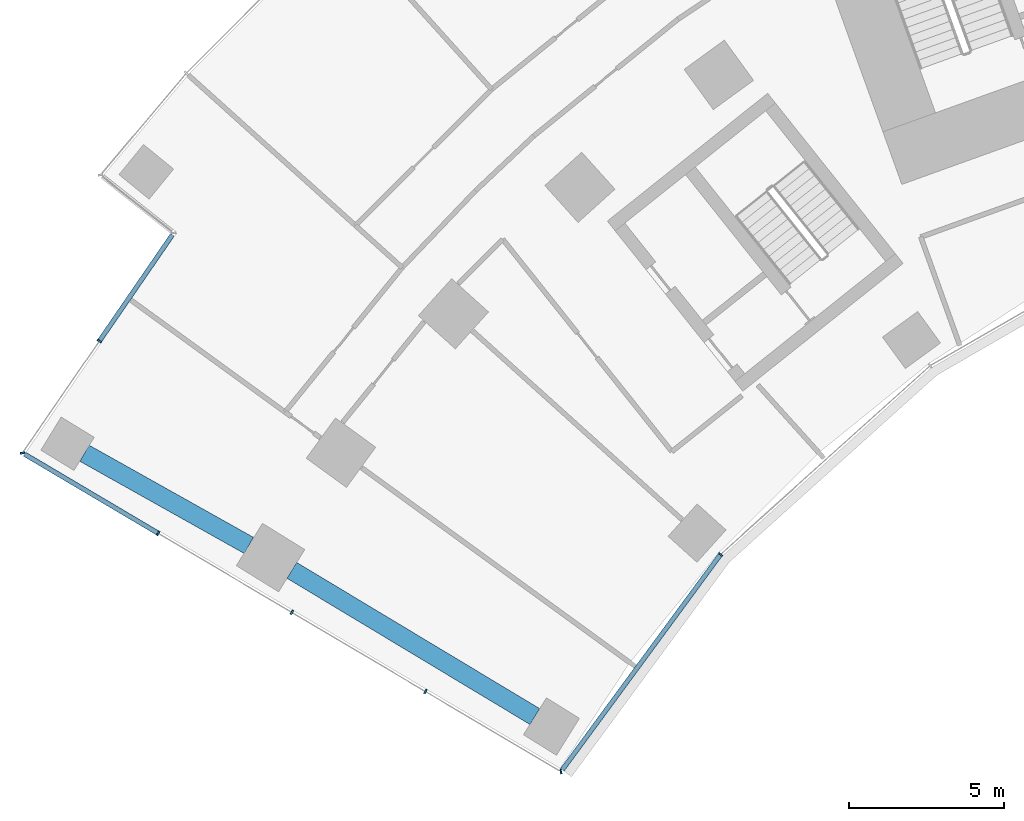
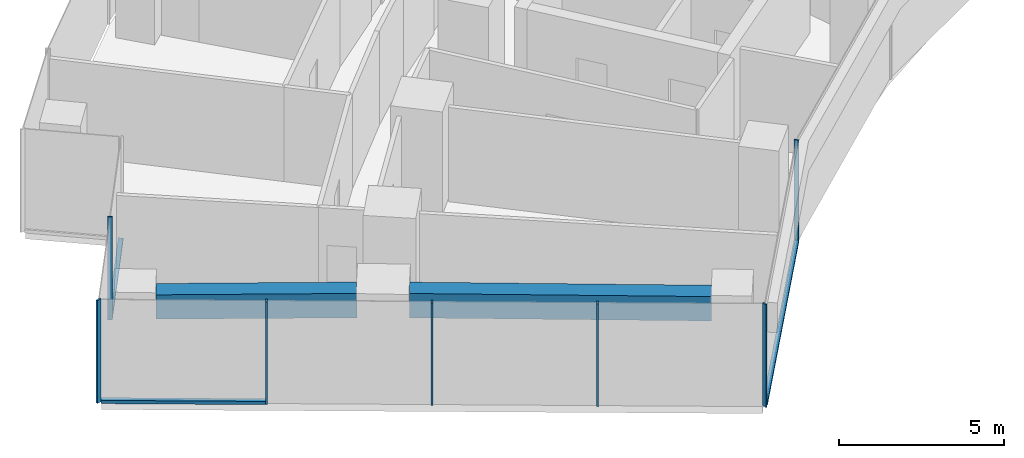
# One storey, part 2 of 21: 10 members, 2 beams, 3 elements without a shape of their own.
"""IFC4 building model written with IfcOpenShell, lengths in metres."""

from ifc_helpers import new_model, si_unit, direction, frame, origin, origin_2d, place, context, subcontext, project, spatial, rectangle, extrude, material, layer, layer_set, material_profile, profile_set, type_object, element, aggregate, save


model = new_model("IFC4")

# Units and contexts
model_context = context("Model", 3, precision=1e-05, world=origin(), true_north=direction((0.0, 1.0)))
body_context = subcontext(model_context, "Body", "Model", "MODEL_VIEW")
ifc_project = project(units=[si_unit("LENGTHUNIT", "METRE"), si_unit("AREAUNIT", "SQUARE_METRE"), si_unit("VOLUMEUNIT", "CUBIC_METRE"), si_unit("PLANEANGLEUNIT", "RADIAN"), si_unit("MASSUNIT", "GRAM", prefix="KILO")], contexts=[model_context])

# Site, building, storey
site_placement = place(None, origin())
site = spatial("IfcSite", under=ifc_project, at=site_placement, CompositionType="ELEMENT")
building_placement = place(site_placement, origin())
building = spatial("IfcBuilding", under=site, at=building_placement, Name="Stone Belt Terrace Tower", CompositionType="ELEMENT")
storey_placement = place(building_placement, frame((0.0, 0.0, 33.800048828125)))
storey = spatial("IfcBuildingStorey", under=building, at=storey_placement, Name="L07", CompositionType="ELEMENT", Elevation=33.800048828125)

# Curtain wall, members
ifc_material_1 = material(Name="Aluminium 6063-T6 anodised frame", Category="aluminium")
ifc_layer_1 = layer(ifc_material_1, 0.14990234375)
ifc_layer_set_1 = layer_set([ifc_layer_1], Name="CW-B unitised concave-face curtain wall")
curtain_wall_type_1 = type_object("IfcCurtainWallType", Name="CW-B unitised concave-face curtain wall", PredefinedType="NOTDEFINED", material=ifc_layer_set_1)
curtain_wall_1_placement = place(storey_placement, origin())
curtain_wall_1 = element("IfcCurtainWall", 1, at=curtain_wall_1_placement, inside=storey, type_object=curtain_wall_type_1, Name="CW-B concave face L07", PredefinedType="NOTDEFINED")
ifc_material_profile_1 = material_profile(ifc_material_1, rectangle(XDim=0.14990234375, YDim=0.050048828125, at=origin_2d()), Name="Aluminium 6063-T6 50x150")
ifc_profile_set_1 = profile_set([ifc_material_profile_1], Name="Aluminium 6063-T6 anodised frame")
member_type_1 = type_object("IfcMemberType", Name="CW-B mullion 50 x 150", PredefinedType="MULLION", material=ifc_profile_set_1)
member_1_placement = place(storey_placement, frame((-37.4140625, 22.0576171875, 0.0), z_axis=(0.0, 0.0, 1.0), x_axis=(-0.199957039009, 0.979804665508, 0.0)))
member_1 = element("IfcMember", 2, at=member_1_placement, type_object=member_type_1, Name="CW-B mullion 1", PredefinedType="MULLION", context=body_context, shape_type="SweptSolid", body=[
    extrude(rectangle(XDim=0.14990234375, YDim=0.050048828125, at=origin_2d()), origin(), (0.0, 0.0, 1.0), 3.800048828125),
])
member_2_placement = place(storey_placement, frame((-32.27099609375, 29.056640625, 0.0), z_axis=(0.0, 0.0, 1.0), x_axis=(-0.741329775891, 0.671140941515, 0.0)))
member_2 = element("IfcMember", 3, at=member_2_placement, type_object=member_type_1, Name="CW-B mullion 2", PredefinedType="MULLION", context=body_context, shape_type="SweptSolid", body=[
    extrude(rectangle(XDim=0.14990234375, YDim=0.050048828125, at=origin_2d()), origin(), (0.0, 0.0, 1.0), 3.800048828125),
])
ifc_material_profile_2 = material_profile(ifc_material_1, rectangle(XDim=0.14990234375, YDim=0.1201171875, at=origin_2d()), Name="Aluminium 6063-T6 150x120")
ifc_profile_set_2 = profile_set([ifc_material_profile_2], Name="Aluminium 6063-T6 anodised frame")
member_type_2 = type_object("IfcMemberType", Name="CW-B transom 120 x 150", PredefinedType="USERDEFINED", material=ifc_profile_set_2)
member_3_placement = place(storey_placement, frame((-37.373291015625, 22.11328125, 0.06005859375), z_axis=(0.592180847905, 0.805805090189, 0.0), x_axis=(-0.805805090189, 0.592180847905, 0.0)))
member_3 = element("IfcMember", 4, at=member_3_placement, type_object=member_type_2, Name="CW-B transom 1.1", ObjectType="TRANSOM", PredefinedType="USERDEFINED", context=body_context, shape_type="SweptSolid", body=[
    extrude(rectangle(XDim=0.14990234375, YDim=0.1201171875, at=origin_2d()), origin(), (0.0, 0.0, 1.0), 8.583984375),
])
aggregate(curtain_wall_1, [member_1, member_2, member_3])

# Curtain wall, member
ifc_layer_2 = layer(ifc_material_1, 0.14990234375)
ifc_layer_set_2 = layer_set([ifc_layer_2], Name="CW-C stick curtain wall, horn ends and notches")
curtain_wall_type_2 = type_object("IfcCurtainWallType", Name="CW-C stick curtain wall, horn ends and notches", PredefinedType="NOTDEFINED", material=ifc_layer_set_2)
curtain_wall_2_placement = place(storey_placement, origin())
curtain_wall_2 = element("IfcCurtainWall", 5, at=curtain_wall_2_placement, inside=storey, type_object=curtain_wall_type_2, Name="CW-C notch face L07", PredefinedType="NOTDEFINED")
ifc_material_profile_3 = material_profile(ifc_material_1, rectangle(XDim=0.14990234375, YDim=0.06005859375, at=origin_2d()), Name="Aluminium 6063-T6 60x150")
ifc_profile_set_3 = profile_set([ifc_material_profile_3], Name="Aluminium 6063-T6 anodised frame")
member_type_3 = type_object("IfcMemberType", Name="CW-C mullion 60 x 150", PredefinedType="MULLION", material=ifc_profile_set_3)
member_4_placement = place(storey_placement, frame((-52.275390625, 35.925048828125, 0.0), z_axis=(0.0, 0.0, 1.0), x_axis=(0.824146991357, -0.566375967567, 0.0)))
member_4 = element("IfcMember", 6, at=member_4_placement, type_object=member_type_3, Name="CW-C mullion 2", PredefinedType="MULLION", context=body_context, shape_type="SweptSolid", body=[
    extrude(rectangle(XDim=0.14990234375, YDim=0.06005859375, at=origin_2d()), origin(), (0.0, 0.0, 1.0), 3.800048828125),
])

# Curtain wall, members
curtain_wall_3_placement = place(storey_placement, origin())
curtain_wall_3 = element("IfcCurtainWall", 7, at=curtain_wall_3_placement, inside=storey, type_object=curtain_wall_type_2, Name="CW-C end face L07", PredefinedType="NOTDEFINED")
member_5_placement = place(storey_placement, frame((-54.752685546875, 32.3203125, 0.0), z_axis=(0.0, 0.0, 1.0), x_axis=(0.976519557331, 0.215428768157, 0.0)))
member_5 = element("IfcMember", 8, at=member_5_placement, type_object=member_type_3, Name="CW-C mullion 1", PredefinedType="MULLION", context=body_context, shape_type="SweptSolid", body=[
    extrude(rectangle(XDim=0.14990234375, YDim=0.06005859375, at=origin_2d()), origin(), (0.0, 0.0, 1.0), 3.800048828125),
])
member_6_placement = place(storey_placement, frame((-50.380859375, 29.732666015625, 0.0), z_axis=(0.0, 0.0, 1.0), x_axis=(0.509352918793, 0.860557728521, 0.0)))
member_6 = element("IfcMember", 9, at=member_6_placement, type_object=member_type_3, Name="CW-C mullion 2", PredefinedType="MULLION", context=body_context, shape_type="SweptSolid", body=[
    extrude(rectangle(XDim=0.14990234375, YDim=0.06005859375, at=origin_2d()), origin(), (0.0, 0.0, 1.0), 3.800048828125),
])
member_7_placement = place(storey_placement, frame((-46.078125, 27.185791015625, 0.0), z_axis=(0.0, 0.0, 1.0), x_axis=(0.509352918793, 0.860557728521, 0.0)))
member_7 = element("IfcMember", 10, at=member_7_placement, type_object=member_type_3, Name="CW-C mullion 3", PredefinedType="MULLION", context=body_context, shape_type="SweptSolid", body=[
    extrude(rectangle(XDim=0.14990234375, YDim=0.06005859375, at=origin_2d()), origin(), (0.0, 0.0, 1.0), 3.800048828125),
])
member_8_placement = place(storey_placement, frame((-41.775146484375, 24.63916015625, 0.0), z_axis=(0.0, 0.0, 1.0), x_axis=(0.509352918793, 0.860557728521, 0.0)))
member_8 = element("IfcMember", 11, at=member_8_placement, type_object=member_type_3, Name="CW-C mullion 4", PredefinedType="MULLION", context=body_context, shape_type="SweptSolid", body=[
    extrude(rectangle(XDim=0.14990234375, YDim=0.06005859375, at=origin_2d()), origin(), (0.0, 0.0, 1.0), 3.800048828125),
])

# Member
ifc_material_profile_4 = material_profile(ifc_material_1, rectangle(XDim=0.14990234375, YDim=0.1201171875, at=origin_2d()), Name="Aluminium 6063-T6 150x120")
ifc_profile_set_4 = profile_set([ifc_material_profile_4], Name="Aluminium 6063-T6 anodised frame")
member_type_4 = type_object("IfcMemberType", Name="CW-C transom 120 x 150", PredefinedType="USERDEFINED", material=ifc_profile_set_4)
member_9_placement = place(storey_placement, frame((-49.924560546875, 39.345703125, 0.06005859375), z_axis=(-0.566362850847, -0.824156005365, 0.0), x_axis=(0.824156005365, -0.566362850847, 0.0)))
member_9 = element("IfcMember", 12, at=member_9_placement, type_object=member_type_4, Name="CW-C transom 1.1", ObjectType="TRANSOM", PredefinedType="USERDEFINED", context=body_context, shape_type="SweptSolid", body=[
    extrude(rectangle(XDim=0.14990234375, YDim=0.1201171875, at=origin_2d()), origin(), (0.0, 0.0, 1.0), 4.12060546875),
])

aggregate(curtain_wall_2, [member_4, member_9])

member_10_placement = place(storey_placement, frame((-54.68798828125, 32.281982421875, 0.06005859375), z_axis=(0.860543319846, -0.509377261633, 0.0), x_axis=(0.509377261633, 0.860543319846, 0.0)))
member_10 = element("IfcMember", 13, at=member_10_placement, type_object=member_type_4, Name="CW-C transom 1.1", ObjectType="TRANSOM", PredefinedType="USERDEFINED", context=body_context, shape_type="SweptSolid", body=[
    extrude(rectangle(XDim=0.14990234375, YDim=0.1201171875, at=origin_2d()), origin(), (0.0, 0.0, 1.0), 4.97509765625),
])

aggregate(curtain_wall_3, [member_5, member_6, member_7, member_8, member_10])

# Beams
ifc_material_2 = material(Name="Concrete B60", Category="concrete")
ifc_material_profile_5 = material_profile(ifc_material_2, rectangle(XDim=0.60009765625, YDim=0.89990234375, at=origin_2d()), Name="RC 600x900")
ifc_profile_set_5 = profile_set([ifc_material_profile_5], Name="Concrete B60")
beam_type = type_object("IfcBeamType", Name="Edge beam RC 600x900 B60", PredefinedType="SPANDREL", material=ifc_profile_set_5)
beam_1_placement = place(storey_placement, frame((-38.253662109375, 23.83203125, 3.030029296875), z_axis=(-0.856900189152, 0.51548236229, 0.0), x_axis=(-0.51548236229, -0.856900189152, 0.0)))
element("IfcBeam", 14, at=beam_1_placement, inside=storey, type_object=beam_type, Name="Edge beam L07 A P to Q", PredefinedType="SPANDREL", context=body_context, shape_type="SweptSolid", body=[
    extrude(rectangle(XDim=0.60009765625, YDim=0.89990234375, at=origin_2d()), origin(), (0.0, 0.0, 1.0), 9.130859375),
])
beam_2_placement = place(storey_placement, frame((-47.4619140625, 29.3427734375, 3.030029296875), z_axis=(-0.872212947991, 0.489126336806, 0.0), x_axis=(-0.489126336806, -0.872212947991, 0.0)))
element("IfcBeam", 15, at=beam_2_placement, inside=storey, type_object=beam_type, Name="Edge beam L07 A Q to R", PredefinedType="SPANDREL", context=body_context, shape_type="SweptSolid", body=[
    extrude(rectangle(XDim=0.60009765625, YDim=0.89990234375, at=origin_2d()), origin(), (0.0, 0.0, 1.0), 6.069091796875),
])

save(model, "model.ifc")
